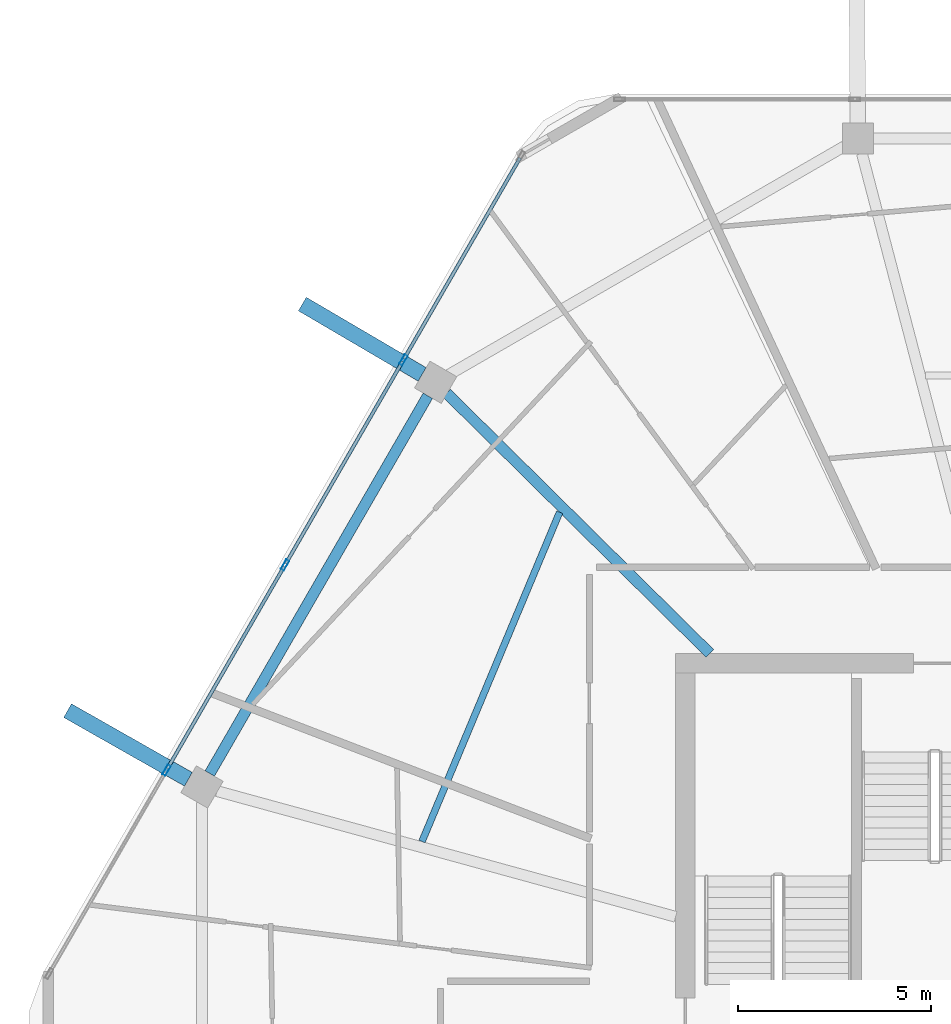
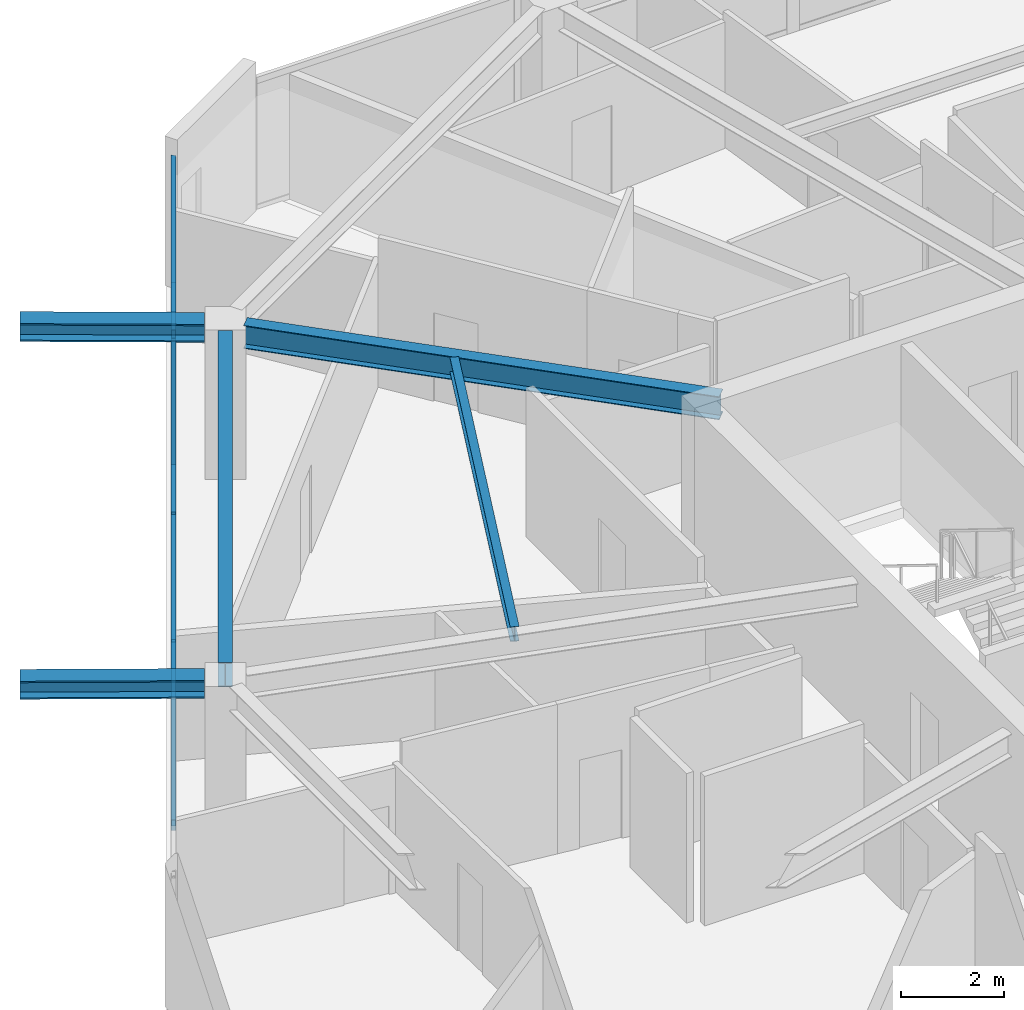
# One storey, part 7 of 21: 9 members, 5 beams, 1 element without a shape of its own.
"""IFC4 building model written with IfcOpenShell, lengths in metres."""

from ifc_helpers import new_model, si_unit, direction, frame, origin, origin_2d, place, context, subcontext, project, spatial, hollow_rectangle, i_section, extrude, material, material_profile, profile_set, type_object, element, aggregate, save


model = new_model("IFC4")

# Units and contexts
model_context = context("Model", 3, precision=1e-05, world=origin(), true_north=direction((0.0, 1.0)))
body_context = subcontext(model_context, "Body", "Model", "MODEL_VIEW")
ifc_project = project(units=[si_unit("LENGTHUNIT", "METRE"), si_unit("AREAUNIT", "SQUARE_METRE"), si_unit("VOLUMEUNIT", "CUBIC_METRE"), si_unit("PLANEANGLEUNIT", "RADIAN"), si_unit("MASSUNIT", "GRAM", prefix="KILO")], contexts=[model_context])

# Site, building, storey
site_placement = place(None, origin())
site = spatial("IfcSite", under=ifc_project, at=site_placement, CompositionType="ELEMENT")
building_placement = place(site_placement, origin())
building = spatial("IfcBuilding", under=site, at=building_placement, Name="Zuhravey Tower", CompositionType="ELEMENT")
storey_placement = place(building_placement, frame((0.0, 0.0, 319.60009765625)))
storey = spatial("IfcBuildingStorey", under=building, at=storey_placement, Name="L81", CompositionType="ELEMENT", Elevation=319.60009765625)

# Curtain wall, members
ifc_material_1 = material(Name="Thermally broken anodised aluminium", Category="aluminium")
curtain_wall_type = type_object("IfcCurtainWallType", Name="Zone 3-4 High-Rise Curtain Wall CW4", PredefinedType="NOTDEFINED", material=ifc_material_1)
curtain_wall_placement = place(storey_placement, origin())
curtain_wall = element("IfcCurtainWall", 1, at=curtain_wall_placement, inside=storey, type_object=curtain_wall_type, Name="L81 CW4 CW-L81-F3-1", PredefinedType="NOTDEFINED")
ifc_material_2 = material(Name="Anodised aluminium", Category="aluminium")
ifc_material_profile_1 = material_profile(ifc_material_2, hollow_rectangle(XDim=0.090087890625, YDim=0.284912109375, WallThickness=0.0048828125, at=origin_2d()), Name="ALU-RHS-90x285x5")
ifc_profile_set_1 = profile_set([ifc_material_profile_1], Name="Anodised aluminium")
member_type_1 = type_object("IfcMemberType", Name="Curtain-Wall Mullion 90x180", PredefinedType="MULLION", material=ifc_profile_set_1)
member_1_placement = place(storey_placement, frame((12.09130859375, 38.7373046875, 0.0), z_axis=(0.0, 0.0, 1.0), x_axis=(-0.866025511541, 0.49999981336, 0.0)))
member_1 = element("IfcMember", 2, at=member_1_placement, type_object=member_type_1, Name="CW4 mullion 2", PredefinedType="MULLION", context=body_context, shape_type="SweptSolid", body=[
    extrude(hollow_rectangle(XDim=0.090087890625, YDim=0.284912109375, WallThickness=0.0048828125, at=origin_2d()), origin(), (0.0, 0.0, 1.0), 3.121826171875),
])
member_2_placement = place(storey_placement, frame((15.1513671875, 44.037109375, 0.0), z_axis=(0.0, 0.0, 1.0), x_axis=(-0.866025511541, 0.49999981336, 0.0)))
member_2 = element("IfcMember", 3, at=member_2_placement, type_object=member_type_1, Name="CW4 mullion 3", PredefinedType="MULLION", context=body_context, shape_type="SweptSolid", body=[
    extrude(hollow_rectangle(XDim=0.090087890625, YDim=0.284912109375, WallThickness=0.0048828125, at=origin_2d()), origin(), (0.0, 0.0, 1.0), 3.121826171875),
])
member_3_placement = place(storey_placement, frame((18.211181640625, 49.3369140625, 0.0), z_axis=(0.0, 0.0, 1.0), x_axis=(-0.866025511541, 0.49999981336, 0.0)))
member_3 = element("IfcMember", 4, at=member_3_placement, type_object=member_type_1, Name="CW4 mullion 4", PredefinedType="MULLION", context=body_context, shape_type="SweptSolid", body=[
    extrude(hollow_rectangle(XDim=0.090087890625, YDim=0.284912109375, WallThickness=0.0048828125, at=origin_2d()), origin(), (0.0, 0.0, 1.0), 3.121826171875),
])
ifc_material_profile_2 = material_profile(ifc_material_2, hollow_rectangle(XDim=0.090087890625, YDim=0.14990234375, WallThickness=0.0048828125, at=origin_2d()), Name="ALU-RHS-90x150x5")
ifc_profile_set_2 = profile_set([ifc_material_profile_2], Name="Anodised aluminium")
member_type_2 = type_object("IfcMemberType", Name="Curtain-Wall Transom 90x150", PredefinedType="USERDEFINED", material=ifc_profile_set_2)
member_4_placement = place(storey_placement, frame((12.114013671875, 38.7763671875, 0.044921875), z_axis=(0.499988837749, 0.866031848217, 0.0), x_axis=(-0.866031848217, 0.499988837749, 0.0)))
member_4 = element("IfcMember", 5, at=member_4_placement, type_object=member_type_2, Name="CW4 transom 2.1", ObjectType="TRANSOM", PredefinedType="USERDEFINED", context=body_context, shape_type="SweptSolid", body=[
    extrude(hollow_rectangle(XDim=0.090087890625, YDim=0.14990234375, WallThickness=0.0048828125, at=origin_2d()), origin(), (0.0, 0.0, 1.0), 6.029541015625),
])
member_5_placement = place(storey_placement, frame((12.114013671875, 38.7763671875, 3.076904296875), z_axis=(0.499988837749, 0.866031848217, 0.0), x_axis=(-0.866031848217, 0.499988837749, 0.0)))
member_5 = element("IfcMember", 6, at=member_5_placement, type_object=member_type_2, Name="CW4 transom 2.2", ObjectType="TRANSOM", PredefinedType="USERDEFINED", context=body_context, shape_type="SweptSolid", body=[
    extrude(hollow_rectangle(XDim=0.090087890625, YDim=0.14990234375, WallThickness=0.0048828125, at=origin_2d()), origin(), (0.0, 0.0, 1.0), 6.029541015625),
])
member_6_placement = place(storey_placement, frame((15.173828125, 44.075927734375, 0.044921875), z_axis=(0.499971305196, 0.866041970103, 0.0), x_axis=(-0.866041970103, 0.499971305196, 0.0)))
member_6 = element("IfcMember", 7, at=member_6_placement, type_object=member_type_2, Name="CW4 transom 3.1", ObjectType="TRANSOM", PredefinedType="USERDEFINED", context=body_context, shape_type="SweptSolid", body=[
    extrude(hollow_rectangle(XDim=0.090087890625, YDim=0.14990234375, WallThickness=0.0048828125, at=origin_2d()), origin(), (0.0, 0.0, 1.0), 6.029541015625),
])
member_7_placement = place(storey_placement, frame((15.173828125, 44.075927734375, 3.076904296875), z_axis=(0.499971305196, 0.866041970103, 0.0), x_axis=(-0.866041970103, 0.499971305196, 0.0)))
member_7 = element("IfcMember", 8, at=member_7_placement, type_object=member_type_2, Name="CW4 transom 3.2", ObjectType="TRANSOM", PredefinedType="USERDEFINED", context=body_context, shape_type="SweptSolid", body=[
    extrude(hollow_rectangle(XDim=0.090087890625, YDim=0.14990234375, WallThickness=0.0048828125, at=origin_2d()), origin(), (0.0, 0.0, 1.0), 6.029541015625),
])
member_8_placement = place(storey_placement, frame((18.233642578125, 49.375732421875, 0.044921875), z_axis=(0.499982594807, 0.866035452444, 0.0), x_axis=(-0.866035452444, 0.499982594807, 0.0)))
member_8 = element("IfcMember", 9, at=member_8_placement, type_object=member_type_2, Name="CW4 transom 4.1", ObjectType="TRANSOM", PredefinedType="USERDEFINED", context=body_context, shape_type="SweptSolid", body=[
    extrude(hollow_rectangle(XDim=0.090087890625, YDim=0.14990234375, WallThickness=0.0048828125, at=origin_2d()), origin(), (0.0, 0.0, 1.0), 5.984619140625),
])
member_9_placement = place(storey_placement, frame((18.233642578125, 49.375732421875, 3.076904296875), z_axis=(0.499982594807, 0.866035452444, 0.0), x_axis=(-0.866035452444, 0.499982594807, 0.0)))
member_9 = element("IfcMember", 10, at=member_9_placement, type_object=member_type_2, Name="CW4 transom 4.2", ObjectType="TRANSOM", PredefinedType="USERDEFINED", context=body_context, shape_type="SweptSolid", body=[
    extrude(hollow_rectangle(XDim=0.090087890625, YDim=0.14990234375, WallThickness=0.0048828125, at=origin_2d()), origin(), (0.0, 0.0, 1.0), 5.984619140625),
])
aggregate(curtain_wall, [member_1, member_2, member_3, member_4, member_5, member_6, member_7, member_8, member_9])

# Beams
ifc_material_3 = material(Name="Steel SM460", Category="steel")
ifc_material_profile_3 = material_profile(ifc_material_3, i_section(OverallWidth=0.406982421875, OverallDepth=0.427978515625, WebThickness=0.02001953125, FlangeThickness=0.034912109375, at=origin_2d()), Name="H-428x407x20x35")
ifc_profile_set_3 = profile_set([ifc_material_profile_3], Name="Steel SM460")
beam_type_1 = type_object("IfcBeamType", Name="Exoskeleton Node Tie Beam H428x407", PredefinedType="BEAM", material=ifc_profile_set_3)
beam_1_placement = place(storey_placement, frame((18.69677734375, 48.96630859375, 3.3359375), z_axis=(-0.862431914181, 0.506173086407, 0.0), x_axis=(-0.506173086407, -0.862431914181, 0.0)))
element("IfcBeam", 11, at=beam_1_placement, inside=storey, type_object=beam_type_1, Name="L81 Exoskeleton Node Tie NT1-05", PredefinedType="BEAM", context=body_context, shape_type="SweptSolid", body=[
    extrude(i_section(OverallWidth=0.406982421875, OverallDepth=0.427978515625, WebThickness=0.02001953125, FlangeThickness=0.034912109375, at=origin_2d()), origin(), (0.0, 0.0, 1.0), 3.5908203125),
])
beam_2_placement = place(storey_placement, frame((12.6552734375, 38.501953125, 3.3359375), z_axis=(-0.86959124663, 0.49377227928, 0.0), x_axis=(-0.49377227928, -0.86959124663, 0.0)))
element("IfcBeam", 12, at=beam_2_placement, inside=storey, type_object=beam_type_1, Name="L81 Exoskeleton Node Tie NT1-06", PredefinedType="BEAM", context=body_context, shape_type="SweptSolid", body=[
    extrude(i_section(OverallWidth=0.406982421875, OverallDepth=0.427978515625, WebThickness=0.02001953125, FlangeThickness=0.034912109375, at=origin_2d()), origin(), (0.0, 0.0, 1.0), 3.591064453125),
])
ifc_material_4 = material(Name="Steel SM355", Category="steel")
ifc_material_profile_4 = material_profile(ifc_material_4, i_section(OverallWidth=0.280029296875, OverallDepth=0.580078125, WebThickness=0.011962890625, FlangeThickness=0.01904296875, at=origin_2d()), Name="H-580x280x12x19")
ifc_profile_set_4 = profile_set([ifc_material_profile_4], Name="Steel SM355")
beam_type_2 = type_object("IfcBeamType", Name="Perimeter Ring Beam H580x280", PredefinedType="BEAM", material=ifc_profile_set_4)
beam_3_placement = place(storey_placement, frame((18.84375, 48.41259765625, 3.260009765625), z_axis=(-0.500006198144, -0.866021825255, 0.0), x_axis=(0.866021825255, -0.500006198144, 0.0)))
element("IfcBeam", 13, at=beam_3_placement, inside=storey, type_object=beam_type_2, Name="L81 PB4 BM-L81-PB-05", PredefinedType="BEAM", context=body_context, shape_type="SweptSolid", body=[
    extrude(i_section(OverallWidth=0.280029296875, OverallDepth=0.580078125, WebThickness=0.011962890625, FlangeThickness=0.01904296875, at=origin_2d()), origin(), (0.0, 0.0, 1.0), 11.271240234375),
])
ifc_material_profile_5 = material_profile(ifc_material_4, i_section(OverallWidth=0.280029296875, OverallDepth=0.550048828125, WebThickness=0.010986328125, FlangeThickness=0.01806640625, at=origin_2d()), Name="H-550x280x11x18")
ifc_profile_set_5 = profile_set([ifc_material_profile_5], Name="Steel SM355")
beam_type_3 = type_object("IfcBeamType", Name="Radial Primary Girder H550x280", PredefinedType="BEAM", material=ifc_profile_set_5)
beam_4_placement = place(storey_placement, frame((26.134765625, 41.7529296875, 3.27490234375), z_axis=(-0.711153035666, 0.703037239314, 0.0), x_axis=(-0.703037239314, -0.711153035666, 0.0)))
element("IfcBeam", 14, at=beam_4_placement, inside=storey, type_object=beam_type_3, Name="L81 RG4 BM-L81-RAD-05", PredefinedType="BEAM", context=body_context, shape_type="SweptSolid", body=[
    extrude(i_section(OverallWidth=0.280029296875, OverallDepth=0.550048828125, WebThickness=0.010986328125, FlangeThickness=0.01806640625, at=origin_2d()), origin(), (0.0, 0.0, 1.0), 9.566162109375),
])
ifc_material_profile_6 = material_profile(ifc_material_4, i_section(OverallWidth=0.175048828125, OverallDepth=0.35009765625, WebThickness=0.007080078125, FlangeThickness=0.010986328125, at=origin_2d()), Name="H-350x175x7x11")
ifc_profile_set_6 = profile_set([ifc_material_profile_6], Name="Steel SM355")
beam_type_4 = type_object("IfcBeamType", Name="Secondary Floor Joist H350x175", PredefinedType="JOIST", material=ifc_profile_set_6)
beam_5_placement = place(storey_placement, frame((22.2509765625, 45.40478515625, 3.375), z_axis=(-0.385657891576, -0.922641853953, 0.0), x_axis=(0.922641853953, -0.385657891576, 0.0)))
element("IfcBeam", 15, at=beam_5_placement, inside=storey, type_object=beam_type_4, Name="L81 SJ3 BM-L81-SJ-05-1", PredefinedType="JOIST", context=body_context, shape_type="SweptSolid", body=[
    extrude(i_section(OverallWidth=0.175048828125, OverallDepth=0.35009765625, WebThickness=0.007080078125, FlangeThickness=0.010986328125, at=origin_2d()), origin(), (0.0, 0.0, 1.0), 9.226806640625),
])

save(model, "model.ifc")
